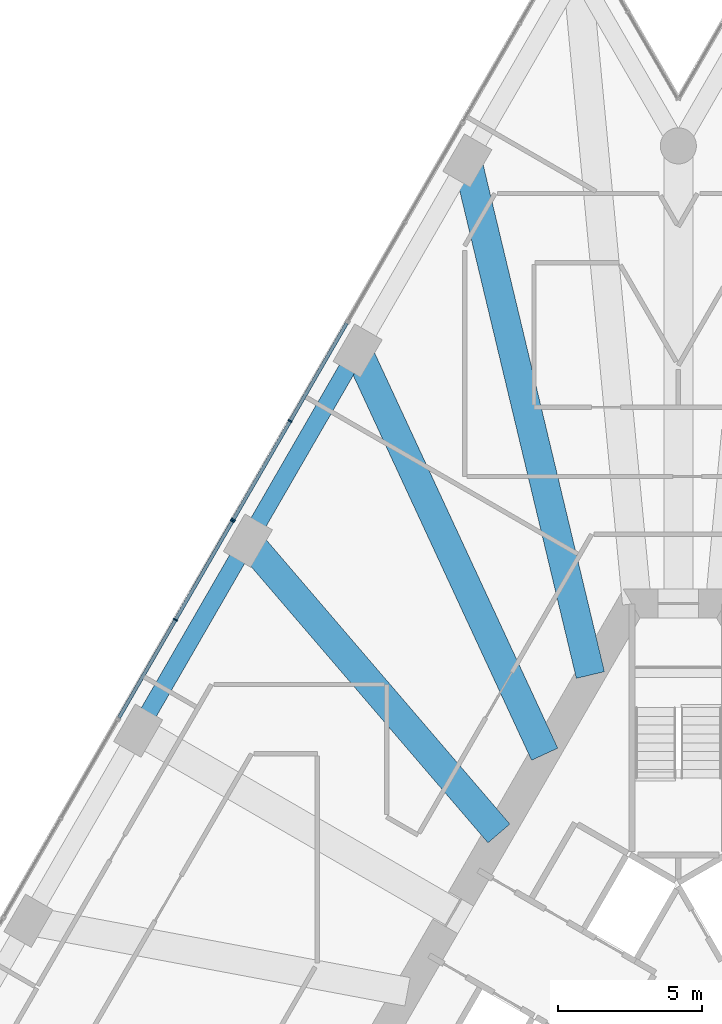
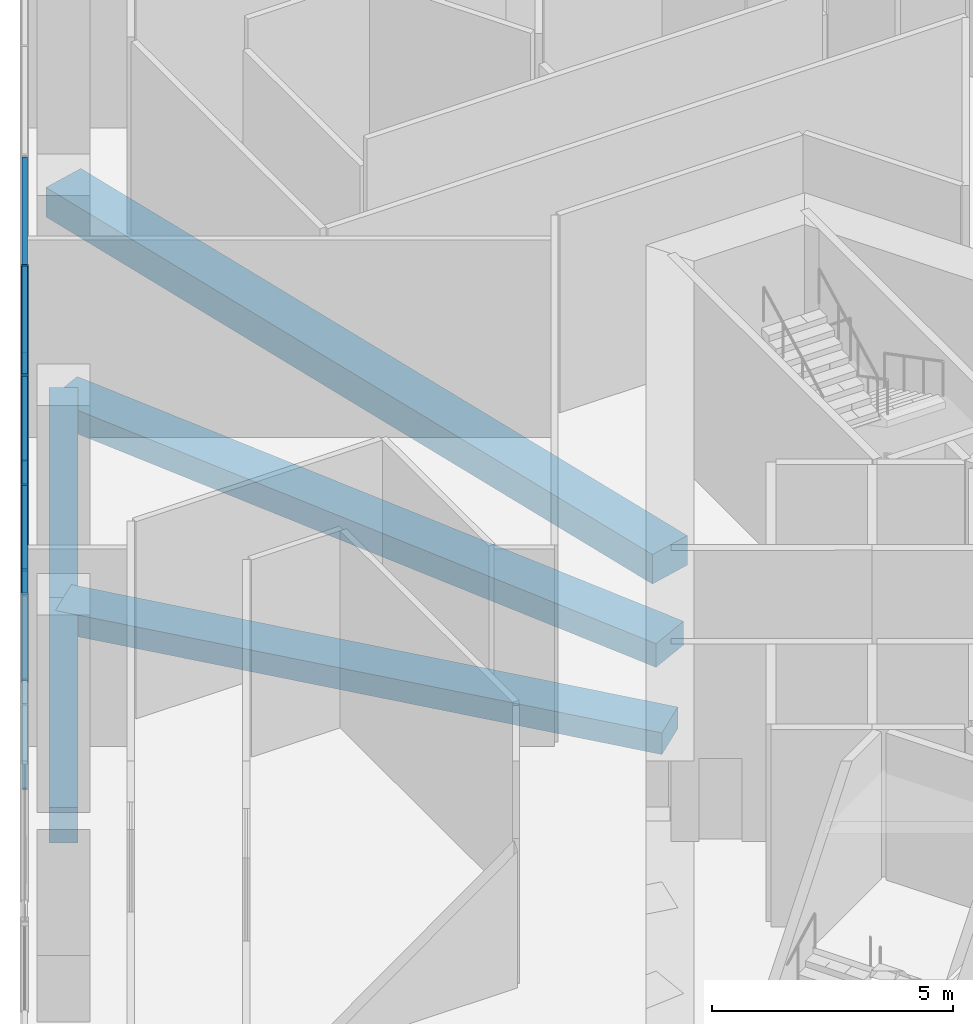
# One storey, part 11 of 29: 12 members, 5 beams, 2 elements without a shape of their own.
"""IFC4 building model written with IfcOpenShell, lengths in metres."""

import ifcopenshell
import ifcopenshell.guid

model = None  # the IFC model being written
_history = None  # IfcOwnerHistory: only IFC2X3 demands one
_inside = {}  # id of a spatial element -> (the spatial element, [elements in it])
_under = {}  # id of a project, library or spatial element -> (it, [spatial elements below it])
_declared = {}  # id of a project -> (the project, [libraries it declares])
_typed = {}  # id of a type object -> (the type object, [elements of that type])
_made_of = {}  # id of a material, layer set ... -> (it, [elements and type objects made of it])


def new_model(schema):
    """Start an empty IFC model of exactly this schema.

    Asked for "IFC4X3", IfcOpenShell would pick the latest addendum, in which some entities
    have other attributes; the version numbers below select the first issue.
    IFC2X3 requires an IfcOwnerHistory on every rooted entity: one is made here for all.
    """
    global model, _history
    if schema == "IFC4X3":
        model = ifcopenshell.file(schema_version=(4, 3, 0, 0))
    else:
        model = ifcopenshell.file(schema=schema)
    _inside.clear()
    _under.clear()
    _declared.clear()
    _typed.clear()
    _made_of.clear()
    _history = None
    if model.schema == "IFC2X3":
        org = make("IfcOrganization", Name="unknown")
        user = make(
            "IfcPersonAndOrganization",
            ThePerson=make("IfcPerson", FamilyName="unknown"),
            TheOrganization=org,
        )
        app = make(
            "IfcApplication",
            ApplicationDeveloper=org,
            Version="unknown",
            ApplicationFullName="unknown",
            ApplicationIdentifier="unknown",
        )
        _history = make(
            "IfcOwnerHistory",
            OwningUser=user,
            OwningApplication=app,
            ChangeAction="ADDED",
            CreationDate=0,
        )
    return model


def make(cls, **values):
    """One entity of the class cls with the attributes given. An attribute that is None is left unset."""
    return model.create_entity(
        cls, **{name: value for name, value in values.items() if value is not None}
    )


def rooted(cls, **values):
    """An entity with a GlobalId (a new one), such as an element, a storey or a relation."""
    return make(cls, GlobalId=ifcopenshell.guid.new(), OwnerHistory=_history, **values)


def si_unit(unit_type, name, prefix=None):
    """IfcSIUnit, for example si_unit("LENGTHUNIT", "METRE", prefix="MILLI")."""
    return make("IfcSIUnit", UnitType=unit_type, Prefix=prefix, Name=name)


def assignment(units):
    """IfcUnitAssignment: the units of a project."""
    return None if units is None else make("IfcUnitAssignment", Units=units)


def point(xyz):
    """IfcCartesianPoint."""
    return None if xyz is None else make("IfcCartesianPoint", Coordinates=xyz)


def direction(xyz):
    """IfcDirection."""
    return None if xyz is None else make("IfcDirection", DirectionRatios=xyz)


def frame(location, z_axis=None, x_axis=None):
    """IfcAxis2Placement3D, a coordinate frame: its origin and axes. An axis left out is left unset."""
    return make(
        "IfcAxis2Placement3D",
        Location=point(location),
        Axis=direction(z_axis),
        RefDirection=direction(x_axis),
    )


def frame_2d(location, x_axis=None):
    """IfcAxis2Placement2D, a coordinate frame in the plane: its origin and x axis."""
    return make(
        "IfcAxis2Placement2D", Location=point(location), RefDirection=direction(x_axis)
    )


def origin():
    """The frame at (0, 0, 0) with its axes left unset."""
    return frame((0.0, 0.0, 0.0))


def origin_2d():
    """The frame at (0, 0) in the plane with its x axis left unset."""
    return frame_2d((0.0, 0.0))


def place(relative_to, where):
    """IfcLocalPlacement: puts the frame where relative to a parent placement (None: the world)."""
    return make(
        "IfcLocalPlacement", PlacementRelTo=relative_to, RelativePlacement=where
    )


def context(
    kind, dimensions, precision=None, world=None, true_north=None, identifier=None
):
    """IfcGeometricRepresentationContext, for example the 3D "Model" context."""
    return make(
        "IfcGeometricRepresentationContext",
        ContextIdentifier=identifier,
        ContextType=kind,
        CoordinateSpaceDimension=dimensions,
        Precision=precision,
        WorldCoordinateSystem=world,
        TrueNorth=true_north,
    )


def subcontext(parent, identifier, kind, view, scale=None):
    """IfcGeometricRepresentationSubContext, for example "Body" below "Model"."""
    return make(
        "IfcGeometricRepresentationSubContext",
        ContextIdentifier=identifier,
        ContextType=kind,
        ParentContext=parent,
        TargetScale=scale,
        TargetView=view,
    )


def project(units=None, contexts=None):
    """IfcProject with its units and contexts."""
    return rooted(
        "IfcProject",
        Name="project",
        RepresentationContexts=contexts,
        UnitsInContext=assignment(units),
    )


def spatial(cls, under=None, at=None, **own):
    """A site, building, storey or space (cls), placed at a placement, below another one or the project."""
    s = rooted(cls, ObjectPlacement=at, **own)
    if under is not None:
        _under.setdefault(under.id(), (under, []))[1].append(s)
    return s


def profile(cls, at=None, kind="AREA", **sizes):
    """A parametric profile (cls). Its sizes go by their IFC names, for example OverallWidth=200.0."""
    return make(cls, ProfileType=kind, Position=at, **sizes)


def rectangle(**sizes):
    """IfcRectangleProfileDef."""
    return profile("IfcRectangleProfileDef", **sizes)


def extrude(swept, where, along, depth):
    """IfcExtrudedAreaSolid: the profile swept, set in the frame where, extruded along a direction by depth."""
    return make(
        "IfcExtrudedAreaSolid",
        SweptArea=swept,
        Position=where,
        ExtrudedDirection=direction(along),
        Depth=depth,
    )


def shape(context_of_items, identifier, shape_type, items):
    """IfcShapeRepresentation: the items that make up one representation, for example the "Body"."""
    return make(
        "IfcShapeRepresentation",
        ContextOfItems=context_of_items,
        RepresentationIdentifier=identifier,
        RepresentationType=shape_type,
        Items=items,
    )


def material(Name=None, Category=None):
    """IfcMaterial."""
    return make("IfcMaterial", Name=Name, Category=Category)


def layer(
    of_material, thickness, ventilated=None, Name=None, Category=None, Priority=None
):
    """IfcMaterialLayer: one layer of a wall or slab, of a material (None: an air gap)."""
    return make(
        "IfcMaterialLayer",
        Material=of_material,
        LayerThickness=thickness,
        IsVentilated=ventilated,
        Name=Name,
        Category=Category,
        Priority=Priority,
    )


def layer_set(layers, Name=None):
    """IfcMaterialLayerSet."""
    return make("IfcMaterialLayerSet", MaterialLayers=layers, LayerSetName=Name)


def material_profile(
    of_material, cross_section, Name=None, Category=None, Priority=None
):
    """IfcMaterialProfile: a cross section and its material."""
    return make(
        "IfcMaterialProfile",
        Name=Name,
        Material=of_material,
        Profile=cross_section,
        Priority=Priority,
        Category=Category,
    )


def profile_set(profiles, Name=None, composite=None):
    """IfcMaterialProfileSet."""
    return make(
        "IfcMaterialProfileSet",
        Name=Name,
        MaterialProfiles=profiles,
        CompositeProfile=composite,
    )


def made_of(thing, what):
    """Note that an element or type object is made of a material, layer set ...; save() writes the relation."""
    if what is not None:
        _made_of.setdefault(what.id(), (what, []))[1].append(thing)
    return thing


def type_object(cls, material=None, **own):
    """A type object (cls), such as IfcWallType, which elements share."""
    return made_of(rooted(cls, **own), material)


def element(
    cls,
    number,
    at=None,
    inside=None,
    cuts=None,
    type_object=None,
    material=None,
    context=None,
    identifier="Body",
    shape_type=None,
    held_by="IfcProductDefinitionShape",
    body=None,
    shapes=None,
    **own,
):
    """One element of the class cls, such as IfcWall. Its Tag is "e" and its number.

    at: its placement. inside: the storey or other place that contains it. cuts: it is an
    opening in that element (IfcRelVoidsElement). A single representation is given by context,
    identifier, shape_type and body (its items); several are given by shapes. held_by: the class
    of the entity that holds the representations. save() writes the other relations.
    """
    e = rooted(cls, Tag="e%d" % number, ObjectPlacement=at, **own)
    if body is not None:
        shapes = [shape(context, identifier, shape_type, body)]
    if shapes is not None:
        e.Representation = make(held_by, Representations=shapes)
    if inside is not None:
        _inside.setdefault(inside.id(), (inside, []))[1].append(e)
    if cuts is not None:
        rooted(
            "IfcRelVoidsElement", RelatingBuildingElement=cuts, RelatedOpeningElement=e
        )
    if type_object is not None:
        _typed.setdefault(type_object.id(), (type_object, []))[1].append(e)
    return made_of(e, material)


def aggregate(whole, parts):
    """IfcRelAggregates: a whole, such as a stair, and the parts it consists of."""
    return rooted("IfcRelAggregates", RelatingObject=whole, RelatedObjects=parts)


def save(model, path):
    """Write the relations noted so far, then the file.

    IfcRelAggregates (storeys below a building ...), IfcRelContainedInSpatialStructure (elements
    in a storey), IfcRelDefinesByType, IfcRelAssociatesMaterial and IfcRelDeclares: one each for
    every whole, place, type object, material and project.
    """
    for whole, parts in _under.values():
        aggregate(whole, parts)
    for where, things in _inside.values():
        rooted(
            "IfcRelContainedInSpatialStructure",
            RelatedElements=things,
            RelatingStructure=where,
        )
    for kind, things in _typed.values():
        rooted("IfcRelDefinesByType", RelatedObjects=things, RelatingType=kind)
    for what, things in _made_of.values():
        rooted("IfcRelAssociatesMaterial", RelatedObjects=things, RelatingMaterial=what)
    for by, libraries in _declared.values():
        rooted("IfcRelDeclares", RelatingContext=by, RelatedDefinitions=libraries)
    model.write(path)


model = new_model("IFC4")

# Units and contexts
model_context = context("Model", 3, precision=1e-05, world=origin(), true_north=direction((0.0, 1.0)))
body_context = subcontext(model_context, "Body", "Model", "MODEL_VIEW")
ifc_project = project(units=[si_unit("LENGTHUNIT", "METRE"), si_unit("AREAUNIT", "SQUARE_METRE"), si_unit("VOLUMEUNIT", "CUBIC_METRE"), si_unit("PLANEANGLEUNIT", "RADIAN"), si_unit("MASSUNIT", "GRAM", prefix="KILO")], contexts=[model_context])

# Site, building, storey
site_placement = place(None, origin())
site = spatial("IfcSite", under=ifc_project, at=site_placement, CompositionType="ELEMENT")
building_placement = place(site_placement, origin())
building = spatial("IfcBuilding", under=site, at=building_placement, Name="Triada Interchange Tower", CompositionType="ELEMENT")
storey_placement = place(building_placement, frame((0.0, 0.0, 19.89990234375)))
storey = spatial("IfcBuildingStorey", under=building, at=storey_placement, Name="L03", CompositionType="ELEMENT", Elevation=19.89990234375)

# Curtain wall, members
ifc_material_1 = material(Name="Aluminium framed glazing", Category="aluminium")
ifc_layer = layer(ifc_material_1, 0.199951171875)
ifc_layer_set = layer_set([ifc_layer], Name="Curtain wall Retail shopfront")
curtain_wall_type = type_object("IfcCurtainWallType", Name="Curtain wall Retail shopfront", PredefinedType="NOTDEFINED", material=ifc_layer_set)
curtain_wall_1_placement = place(storey_placement, origin())
curtain_wall_1 = element("IfcCurtainWall", 1, at=curtain_wall_1_placement, inside=storey, type_object=curtain_wall_type, Name="Retail shopfront CW025 L03", PredefinedType="NOTDEFINED")
ifc_material_2 = material(Name="Aluminium", Category="aluminium")
ifc_material_profile_1 = material_profile(ifc_material_2, rectangle(XDim=0.14990234375, YDim=0.050048828125, at=origin_2d()), Name="Aluminium mullion")
ifc_profile_set_1 = profile_set([ifc_material_profile_1], Name="Aluminium")
member_type_1 = type_object("IfcMemberType", Name="Mullion Retail shopfront 150x50", PredefinedType="MULLION", material=ifc_profile_set_1)
member_1_placement = place(storey_placement, frame((-13.439453125, 21.52197265625, 0.0), z_axis=(0.0, 0.0, 1.0), x_axis=(0.866055473648, -0.499947913852, 0.0)))
member_1 = element("IfcMember", 2, at=member_1_placement, type_object=member_type_1, Name="CW025 mullion 2", PredefinedType="MULLION", context=body_context, shape_type="SweptSolid", body=[
    extrude(rectangle(XDim=0.14990234375, YDim=0.050048828125, at=origin_2d()), origin(), (0.0, 0.0, 1.0), 5.0),
])
member_2_placement = place(storey_placement, frame((-15.410400390625, 18.107666015625, 0.0), z_axis=(0.0, 0.0, 1.0), x_axis=(0.866055473648, -0.499947913852, 0.0)))
member_2 = element("IfcMember", 3, at=member_2_placement, type_object=member_type_1, Name="CW025 mullion 3", PredefinedType="MULLION", context=body_context, shape_type="SweptSolid", body=[
    extrude(rectangle(XDim=0.14990234375, YDim=0.050048828125, at=origin_2d()), origin(), (0.0, 0.0, 1.0), 5.0),
])

curtain_wall_2_placement = place(storey_placement, origin())
curtain_wall_2 = element("IfcCurtainWall", 4, at=curtain_wall_2_placement, inside=storey, type_object=curtain_wall_type, Name="Retail shopfront CW026 L03", PredefinedType="NOTDEFINED")
member_3_placement = place(storey_placement, frame((-15.44140625, 18.055419921875, 0.0), z_axis=(0.0, 0.0, 1.0), x_axis=(0.866086968603, -0.499893351442, 0.0)))
member_3 = element("IfcMember", 5, at=member_3_placement, type_object=member_type_1, Name="CW026 mullion 1", PredefinedType="MULLION", context=body_context, shape_type="SweptSolid", body=[
    extrude(rectangle(XDim=0.14990234375, YDim=0.050048828125, at=origin_2d()), origin(), (0.0, 0.0, 1.0), 5.0),
])
member_4_placement = place(storey_placement, frame((-17.41259765625, 14.640380859375, 0.0), z_axis=(0.0, 0.0, 1.0), x_axis=(0.866086968603, -0.499893351442, 0.0)))
member_4 = element("IfcMember", 6, at=member_4_placement, type_object=member_type_1, Name="CW026 mullion 2", PredefinedType="MULLION", context=body_context, shape_type="SweptSolid", body=[
    extrude(rectangle(XDim=0.14990234375, YDim=0.050048828125, at=origin_2d()), origin(), (0.0, 0.0, 1.0), 5.0),
])

# Beams
ifc_material_3 = material(Name="Concrete C50/60", Category="concrete")
ifc_material_profile_2 = material_profile(ifc_material_3, rectangle(XDim=1.0, YDim=0.550048828125, at=origin_2d()), Name="RC 1000x550")
ifc_profile_set_2 = profile_set([ifc_material_profile_2], Name="Concrete C50/60")
beam_type_1 = type_object("IfcBeamType", Name="Radial band beam P RC 1000x550", PredefinedType="BEAM", material=ifc_profile_set_2)
beam_1_placement = place(storey_placement, frame((-14.906005859375, 17.381103515625, -0.6748046875), z_axis=(0.650979511823, -0.759095300464, 0.0), x_axis=(0.759095300464, 0.650979511823, 0.0)))
element("IfcBeam", 7, at=beam_1_placement, inside=storey, type_object=beam_type_1, Name="Radial band beam BP04 L03", PredefinedType="BEAM", context=body_context, shape_type="SweptSolid", body=[
    extrude(rectangle(XDim=1.0, YDim=0.550048828125, at=origin_2d()), origin(), (0.0, 0.0, 1.0), 13.35693359375),
])
ifc_material_profile_3 = material_profile(ifc_material_3, rectangle(XDim=1.0, YDim=0.60009765625, at=origin_2d()), Name="RC 1000x600")
ifc_profile_set_3 = profile_set([ifc_material_profile_3], Name="Concrete C50/60")
beam_type_2 = type_object("IfcBeamType", Name="Radial band beam P RC 1000x600", PredefinedType="BEAM", material=ifc_profile_set_3)
beam_2_placement = place(storey_placement, frame((-11.10595703125, 23.9619140625, -0.699951171875), z_axis=(0.420512879237, -0.90728656906, 0.0), x_axis=(0.90728656906, 0.420512879237, 0.0)))
element("IfcBeam", 8, at=beam_2_placement, inside=storey, type_object=beam_type_2, Name="Radial band beam BP03 L03", PredefinedType="BEAM", context=body_context, shape_type="SweptSolid", body=[
    extrude(rectangle(XDim=1.0, YDim=0.60009765625, at=origin_2d()), origin(), (0.0, 0.0, 1.0), 15.405029296875),
])
ifc_material_profile_4 = material_profile(ifc_material_3, rectangle(XDim=1.0, YDim=0.75, at=origin_2d()), Name="RC 1000x750")
ifc_profile_set_4 = profile_set([ifc_material_profile_4], Name="Concrete C50/60")
beam_type_3 = type_object("IfcBeamType", Name="Radial band beam P RC 1000x750", PredefinedType="BEAM", material=ifc_profile_set_4)
beam_3_placement = place(storey_placement, frame((-7.306884765625, 30.5439453125, -0.77490234375), z_axis=(0.232645559645, -0.972561588578, 0.0), x_axis=(0.972561588578, 0.232645559645, 0.0)))
element("IfcBeam", 9, at=beam_3_placement, inside=storey, type_object=beam_type_3, Name="Radial band beam BP02 L03", PredefinedType="BEAM", context=body_context, shape_type="SweptSolid", body=[
    extrude(rectangle(XDim=1.0, YDim=0.75, at=origin_2d()), origin(), (0.0, 0.0, 1.0), 18.319580078125),
])
ifc_material_profile_5 = material_profile(ifc_material_3, rectangle(XDim=0.60009765625, YDim=0.89990234375, at=origin_2d()), Name="RC 600x900")
ifc_profile_set_5 = profile_set([ifc_material_profile_5], Name="Concrete C50/60")
beam_type_4 = type_object("IfcBeamType", Name="Spandrel beam P RC 600x900", PredefinedType="BEAM", material=ifc_profile_set_5)
beam_4_placement = place(storey_placement, frame((-11.10595703125, 23.9619140625, -0.849853515625), z_axis=(-0.500060803479, -0.865990296034, 0.0), x_axis=(0.865990296034, -0.500060803479, 0.0)))
element("IfcBeam", 10, at=beam_4_placement, inside=storey, type_object=beam_type_4, Name="Spandrel beam EP03 L03", PredefinedType="BEAM", context=body_context, shape_type="SweptSolid", body=[
    extrude(rectangle(XDim=0.60009765625, YDim=0.89990234375, at=origin_2d()), origin(), (0.0, 0.0, 1.0), 7.59912109375),
])
beam_5_placement = place(storey_placement, frame((-14.906005859375, 17.381103515625, -0.849853515625), z_axis=(-0.500046891162, -0.865998329467, 0.0), x_axis=(0.865998329467, -0.500046891162, 0.0)))
element("IfcBeam", 11, at=beam_5_placement, inside=storey, type_object=beam_type_4, Name="Spandrel beam EP04 L03", PredefinedType="BEAM", context=body_context, shape_type="SweptSolid", body=[
    extrude(rectangle(XDim=0.60009765625, YDim=0.89990234375, at=origin_2d()), origin(), (0.0, 0.0, 1.0), 7.599365234375),
])

# Member
ifc_material_profile_6 = material_profile(ifc_material_2, rectangle(XDim=0.1201171875, YDim=0.050048828125, at=origin_2d()), Name="Aluminium transom")
ifc_profile_set_6 = profile_set([ifc_material_profile_6], Name="Aluminium")
member_type_2 = type_object("IfcMemberType", Name="Transom Retail shopfront 120x50", PredefinedType="USERDEFINED", material=ifc_profile_set_6)
member_5_placement = place(storey_placement, frame((-11.48095703125, 24.914794921875, 0.025146484375), z_axis=(-0.499950487857, -0.866053987747, 0.0), x_axis=(0.866053987747, -0.499950487857, 0.0)))
member_5 = element("IfcMember", 12, at=member_5_placement, type_object=member_type_2, Name="CW025 transom 1.1", ObjectType="TRANSOM", PredefinedType="USERDEFINED", context=body_context, shape_type="SweptSolid", body=[
    extrude(rectangle(XDim=0.1201171875, YDim=0.050048828125, at=origin_2d()), origin(), (0.0, 0.0, 1.0), 3.892578125),
])

member_6_placement = place(storey_placement, frame((-11.48095703125, 24.914794921875, 4.97509765625), z_axis=(-0.499950487857, -0.866053987747, 0.0), x_axis=(0.866053987747, -0.499950487857, 0.0)))
member_6 = element("IfcMember", 13, at=member_6_placement, type_object=member_type_2, Name="CW025 transom 1.2", ObjectType="TRANSOM", PredefinedType="USERDEFINED", context=body_context, shape_type="SweptSolid", body=[
    extrude(rectangle(XDim=0.1201171875, YDim=0.050048828125, at=origin_2d()), origin(), (0.0, 0.0, 1.0), 3.892578125),
])

member_7_placement = place(storey_placement, frame((-13.451904296875, 21.500244140625, 0.025146484375), z_axis=(-0.499977646359, -0.866038309281, 0.0), x_axis=(0.866038309281, -0.499977646359, 0.0)))
member_7 = element("IfcMember", 14, at=member_7_placement, type_object=member_type_2, Name="CW025 transom 2.1", ObjectType="TRANSOM", PredefinedType="USERDEFINED", context=body_context, shape_type="SweptSolid", body=[
    extrude(rectangle(XDim=0.1201171875, YDim=0.050048828125, at=origin_2d()), origin(), (0.0, 0.0, 1.0), 3.892333984375),
])

member_8_placement = place(storey_placement, frame((-13.451904296875, 21.500244140625, 4.97509765625), z_axis=(-0.499977646359, -0.866038309281, 0.0), x_axis=(0.866038309281, -0.499977646359, 0.0)))
member_8 = element("IfcMember", 15, at=member_8_placement, type_object=member_type_2, Name="CW025 transom 2.2", ObjectType="TRANSOM", PredefinedType="USERDEFINED", context=body_context, shape_type="SweptSolid", body=[
    extrude(rectangle(XDim=0.1201171875, YDim=0.050048828125, at=origin_2d()), origin(), (0.0, 0.0, 1.0), 3.892333984375),
])

aggregate(curtain_wall_1, [member_1, member_2, member_5, member_6, member_7, member_8])

member_9_placement = place(storey_placement, frame((-15.4541015625, 18.03369140625, 0.025146484375), z_axis=(-0.499849133735, -0.866112488944, 0.0), x_axis=(0.866112488944, -0.499849133735, 0.0)))
member_9 = element("IfcMember", 16, at=member_9_placement, type_object=member_type_2, Name="CW026 transom 1.1", ObjectType="TRANSOM", PredefinedType="USERDEFINED", context=body_context, shape_type="SweptSolid", body=[
    extrude(rectangle(XDim=0.1201171875, YDim=0.050048828125, at=origin_2d()), origin(), (0.0, 0.0, 1.0), 3.892822265625),
])

member_10_placement = place(storey_placement, frame((-15.4541015625, 18.03369140625, 4.97509765625), z_axis=(-0.499849133735, -0.866112488944, 0.0), x_axis=(0.866112488944, -0.499849133735, 0.0)))
member_10 = element("IfcMember", 17, at=member_10_placement, type_object=member_type_2, Name="CW026 transom 1.2", ObjectType="TRANSOM", PredefinedType="USERDEFINED", context=body_context, shape_type="SweptSolid", body=[
    extrude(rectangle(XDim=0.1201171875, YDim=0.050048828125, at=origin_2d()), origin(), (0.0, 0.0, 1.0), 3.892822265625),
])

member_11_placement = place(storey_placement, frame((-17.425048828125, 14.618896484375, 0.025146484375), z_axis=(-0.499896178229, -0.866085337015, 0.0), x_axis=(0.866085337015, -0.499896178229, 0.0)))
member_11 = element("IfcMember", 18, at=member_11_placement, type_object=member_type_2, Name="CW026 transom 2.1", ObjectType="TRANSOM", PredefinedType="USERDEFINED", context=body_context, shape_type="SweptSolid", body=[
    extrude(rectangle(XDim=0.1201171875, YDim=0.050048828125, at=origin_2d()), origin(), (0.0, 0.0, 1.0), 3.892822265625),
])

member_12_placement = place(storey_placement, frame((-17.425048828125, 14.618896484375, 4.97509765625), z_axis=(-0.499896178229, -0.866085337015, 0.0), x_axis=(0.866085337015, -0.499896178229, 0.0)))
member_12 = element("IfcMember", 19, at=member_12_placement, type_object=member_type_2, Name="CW026 transom 2.2", ObjectType="TRANSOM", PredefinedType="USERDEFINED", context=body_context, shape_type="SweptSolid", body=[
    extrude(rectangle(XDim=0.1201171875, YDim=0.050048828125, at=origin_2d()), origin(), (0.0, 0.0, 1.0), 3.892822265625),
])

aggregate(curtain_wall_2, [member_3, member_4, member_9, member_10, member_11, member_12])

save(model, "model.ifc")
